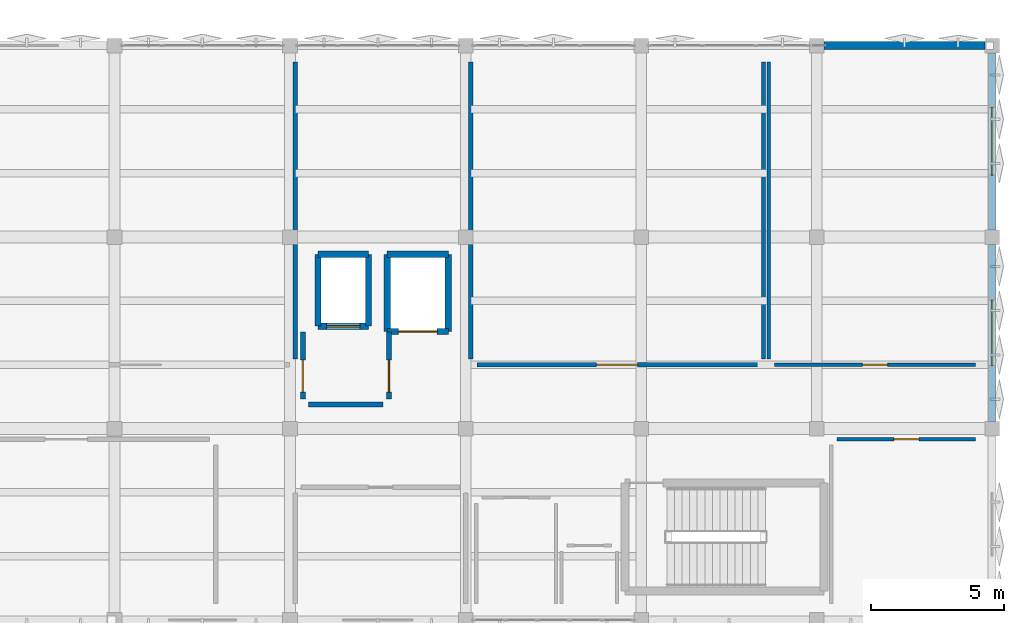
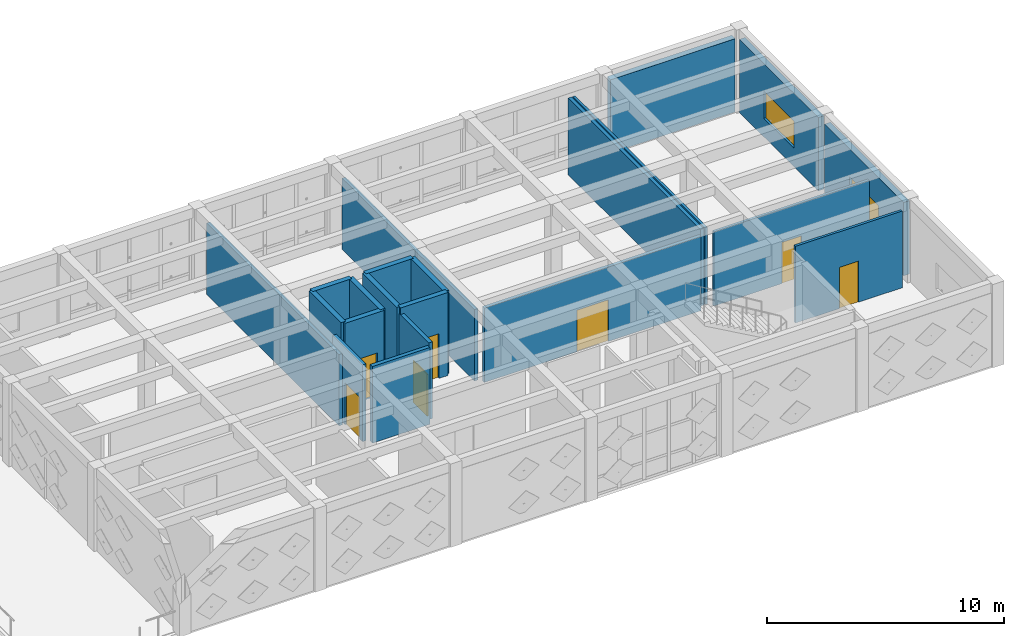
# One storey, part 32 of 39: 21 walls, 7 doors, 2 windows, 9 openings.
"""IFC4 building model written with IfcOpenShell, lengths in metres."""

from ifc_helpers import new_model, si_unit, direction, frame, frame_2d, origin, place, context, subcontext, project, spatial, rectangle, extrude, material, layer, layer_set, type_object, element, fill, save


model = new_model("IFC4")

# Units and contexts
model_context = context("Model", 3, precision=1e-05, world=origin(), true_north=direction((0.0, 1.0)))
body_context = subcontext(model_context, "Body", "Model", "MODEL_VIEW")
ifc_project = project(units=[si_unit("LENGTHUNIT", "METRE"), si_unit("AREAUNIT", "SQUARE_METRE"), si_unit("VOLUMEUNIT", "CUBIC_METRE"), si_unit("PLANEANGLEUNIT", "RADIAN"), si_unit("MASSUNIT", "GRAM", prefix="KILO")], contexts=[model_context])

# Site, building, storey
site_placement = place(None, origin())
site = spatial("IfcSite", under=ifc_project, at=site_placement, CompositionType="ELEMENT")
building_placement = place(site_placement, origin())
building = spatial("IfcBuilding", under=site, at=building_placement, Name="Kharisveld Research Institute", CompositionType="ELEMENT")
storey_placement = place(building_placement, frame((0.0, 0.0, 23.10009765625)))
storey = spatial("IfcBuildingStorey", under=building, at=storey_placement, Name="L05", CompositionType="ELEMENT", Elevation=23.10009765625)

# Walls
ifc_material_1 = material(Name="Concrete C40/50", Category="concrete")
ifc_layer_1 = layer(ifc_material_1, 0.239990234375)
ifc_layer_set_1 = layer_set([ifc_layer_1], Name="WL_CORE_240")
wall_type_1 = type_object("IfcWallType", Name="WL_CORE_240", PredefinedType="SHEAR", material=ifc_layer_set_1)
wall_1_placement = place(storey_placement, frame((135.449951171875, 50.25, 0.0), z_axis=(0.0, 0.0, 1.0), x_axis=(0.0, 1.0, 0.0)))
element("IfcWall", 1, at=wall_1_placement, inside=storey, type_object=wall_type_1, Name="WL:LFT:FFL-02:L05:W", PredefinedType="SHEAR", context=body_context, shape_type="SweptSolid", body=[
    extrude(rectangle(XDim=2.699951171875, YDim=0.239990234375, at=frame_2d((1.35009765625, 0.0))), origin(), (0.0, 0.0, 1.0), 4.27978515625),
])
wall_2_placement = place(storey_placement, frame((135.449951171875, 52.949951171875, 0.0), z_axis=(0.0, 0.0, 1.0), x_axis=(1.0, 0.0, 0.0)))
element("IfcWall", 2, at=wall_2_placement, inside=storey, type_object=wall_type_1, Name="WL:LFT:FFL-02:L05:N", PredefinedType="SHEAR", context=body_context, shape_type="SweptSolid", body=[
    extrude(rectangle(XDim=1.900146484375, YDim=0.239990234375, at=frame_2d((0.9501953125, 0.0))), origin(), (0.0, 0.0, 1.0), 4.27978515625),
])
wall_3_placement = place(storey_placement, frame((137.35009765625, 52.949951171875, 0.0), z_axis=(0.0, 0.0, 1.0), x_axis=(0.0, -1.0, 0.0)))
element("IfcWall", 3, at=wall_3_placement, inside=storey, type_object=wall_type_1, Name="WL:LFT:FFL-02:L05:E", PredefinedType="SHEAR", context=body_context, shape_type="SweptSolid", body=[
    extrude(rectangle(XDim=2.699951171875, YDim=0.239990234375, at=frame_2d((1.35009765625, 0.0))), origin(), (0.0, 0.0, 1.0), 4.27978515625),
])

# Wall, opening, door
wall_4_placement = place(storey_placement, frame((137.35009765625, 50.25, 0.0), z_axis=(0.0, 0.0, 1.0), x_axis=(-1.0, 0.0, 0.0)))
wall_4 = element("IfcWall", 4, at=wall_4_placement, inside=storey, type_object=wall_type_1, Name="WL:LFT:FFL-02:L05:S", PredefinedType="SHEAR", context=body_context, shape_type="SweptSolid", body=[
    extrude(rectangle(XDim=1.900146484375, YDim=0.239990234375, at=frame_2d((0.9501953125, 0.0))), origin(), (0.0, 0.0, 1.0), 4.27978515625),
])
opening_1_placement = place(wall_4_placement, frame((0.324951171875, 0.0, 0.0)))
opening_1 = element("IfcOpeningElement", 5, at=opening_1_placement, cuts=wall_4, Name="Opening LD-02", PredefinedType="OPENING", context=body_context, shape_type="SweptSolid", body=[
    extrude(rectangle(XDim=1.25, YDim=2.199951171875, at=frame_2d((0.625, 1.10009765625))), frame((0.0, 0.1201171875, 0.0), z_axis=(0.0, -1.0, 0.0), x_axis=(1.0, 0.0, 0.0)), (0.0, 0.0, 1.0), 0.239990234375),
])
ifc_material_2 = material(Name="Flush Painted Hardwood and Anodised Aluminium", Category="wood")
door_type_1 = type_object("IfcDoorType", Name="DR_LFT_125", OperationType="SLIDING_TO_RIGHT", PredefinedType="DOOR", material=ifc_material_2)
door_1_placement = place(opening_1_placement, origin())
door_1 = element("IfcDoor", 6, at=door_1_placement, inside=storey, type_object=door_type_1, Name="FFL-02 Lift Landing Door L05", OperationType="SLIDING_TO_RIGHT", OverallHeight=2.199951171875, OverallWidth=1.25, PredefinedType="DOOR", context=body_context, shape_type="SweptSolid", body=[
    extrude(rectangle(XDim=1.25, YDim=2.199951171875, at=frame_2d((0.625, 1.10009765625))), frame((0.0, 0.02490234375, 0.0), z_axis=(0.0, -1.0, 0.0), x_axis=(1.0, 0.0, 0.0)), (0.0, 0.0, 1.0), 0.050048828125),
])
fill(opening_1, door_1)

# Walls
wall_5_placement = place(storey_placement, frame((138.050048828125, 50.050048828125, 0.0), z_axis=(0.0, 0.0, 1.0), x_axis=(0.0, 1.0, 0.0)))
element("IfcWall", 7, at=wall_5_placement, inside=storey, type_object=wall_type_1, Name="WL:LFT:GL-01:L05:W", PredefinedType="SHEAR", context=body_context, shape_type="SweptSolid", body=[
    extrude(rectangle(XDim=2.89990234375, YDim=0.239990234375, at=frame_2d((1.449951171875, 0.0))), origin(), (0.0, 0.0, 1.0), 4.27978515625),
])
wall_6_placement = place(storey_placement, frame((138.050048828125, 52.949951171875, 0.0), z_axis=(0.0, 0.0, 1.0), x_axis=(1.0, 0.0, 0.0)))
element("IfcWall", 8, at=wall_6_placement, inside=storey, type_object=wall_type_1, Name="WL:LFT:GL-01:L05:N", PredefinedType="SHEAR", context=body_context, shape_type="SweptSolid", body=[
    extrude(rectangle(XDim=2.300048828125, YDim=0.239990234375, at=frame_2d((1.14990234375, 0.0))), origin(), (0.0, 0.0, 1.0), 4.27978515625),
])
wall_7_placement = place(storey_placement, frame((140.35009765625, 52.949951171875, 0.0), z_axis=(0.0, 0.0, 1.0), x_axis=(0.0, -1.0, 0.0)))
element("IfcWall", 9, at=wall_7_placement, inside=storey, type_object=wall_type_1, Name="WL:LFT:GL-01:L05:E", PredefinedType="SHEAR", context=body_context, shape_type="SweptSolid", body=[
    extrude(rectangle(XDim=2.89990234375, YDim=0.239990234375, at=frame_2d((1.449951171875, 0.0))), origin(), (0.0, 0.0, 1.0), 4.27978515625),
])

# Wall, opening, door
wall_8_placement = place(storey_placement, frame((140.35009765625, 50.050048828125, 0.0), z_axis=(0.0, 0.0, 1.0), x_axis=(-1.0, 0.0, 0.0)))
wall_8 = element("IfcWall", 10, at=wall_8_placement, inside=storey, type_object=wall_type_1, Name="WL:LFT:GL-01:L05:S", PredefinedType="SHEAR", context=body_context, shape_type="SweptSolid", body=[
    extrude(rectangle(XDim=2.300048828125, YDim=0.239990234375, at=frame_2d((1.14990234375, 0.0))), origin(), (0.0, 0.0, 1.0), 4.27978515625),
])
opening_2_placement = place(wall_8_placement, frame((0.425048828125, 0.0, 0.0)))
opening_2 = element("IfcOpeningElement", 11, at=opening_2_placement, cuts=wall_8, Name="Opening LD-03", PredefinedType="OPENING", context=body_context, shape_type="SweptSolid", body=[
    extrude(rectangle(XDim=1.449951171875, YDim=2.300048828125, at=frame_2d((0.72509765625, 1.14990234375))), frame((0.0, 0.1201171875, 0.0), z_axis=(0.0, -1.0, 0.0), x_axis=(1.0, 0.0, 0.0)), (0.0, 0.0, 1.0), 0.239990234375),
])
ifc_material_3 = material(Name="Flush Painted Hardwood and Anodised Aluminium", Category="wood")
door_type_2 = type_object("IfcDoorType", Name="DR_LFT_145", OperationType="DOUBLE_DOOR_SLIDING", PredefinedType="DOOR", material=ifc_material_3)
door_2_placement = place(opening_2_placement, origin())
door_2 = element("IfcDoor", 12, at=door_2_placement, inside=storey, type_object=door_type_2, Name="GL-01 Lift Landing Door L05", OperationType="DOUBLE_DOOR_SLIDING", OverallHeight=2.300048828125, OverallWidth=1.449951171875, PredefinedType="DOOR", context=body_context, shape_type="SweptSolid", body=[
    extrude(rectangle(XDim=1.449951171875, YDim=2.300048828125, at=frame_2d((0.72509765625, 1.14990234375))), frame((0.0, 0.02490234375, 0.0), z_axis=(0.0, -1.0, 0.0), x_axis=(1.0, 0.0, 0.0)), (0.0, 0.0, 1.0), 0.050048828125),
])
fill(opening_2, door_2)

# Wall, opening, window
ifc_material_4 = material(Name="Precast Concrete C40/50 Thermal Wall", Category="concrete")
ifc_layer_2 = layer(ifc_material_4, 0.27490234375)
ifc_layer_set_2 = layer_set([ifc_layer_2], Name="WL_EXT_275")
wall_type_2 = type_object("IfcWallType", Name="WL_EXT_275", PredefinedType="STANDARD", material=ifc_layer_set_2)
wall_9_placement = place(storey_placement, frame((160.800048828125, 60.530029296875, 0.0), z_axis=(0.0, 0.0, 1.0), x_axis=(0.0, -1.0, 0.0)))
wall_9 = element("IfcWall", 13, at=wall_9_placement, inside=storey, type_object=wall_type_2, Name="WL:V2:L05:E3", PredefinedType="STANDARD", context=body_context, shape_type="SweptSolid", body=[
    extrude(rectangle(XDim=6.659912109375, YDim=0.27490234375, at=frame_2d((3.330078125, 0.0))), origin(), (0.0, 0.0, 1.0), 3.77490234375),
])
opening_3_placement = place(wall_9_placement, frame((2.06005859375, 0.0, 0.949951171875)))
opening_3 = element("IfcOpeningElement", 14, at=opening_3_placement, cuts=wall_9, Name="Opening WN-36", PredefinedType="OPENING", context=body_context, shape_type="SweptSolid", body=[
    extrude(rectangle(XDim=2.5400390625, YDim=1.39990234375, at=frame_2d((1.27001953125, 0.699951171875))), frame((0.0, 0.137451171875, 0.0), z_axis=(0.0, -1.0, 0.0), x_axis=(1.0, 0.0, 0.0)), (0.0, 0.0, 1.0), 0.27490234375),
])
ifc_material_5 = material(Name="Low-E Double Glazing", Category="glass")
window_type_1 = type_object("IfcWindowType", Name="WN_36", PartitioningType="DOUBLE_PANEL_VERTICAL", PredefinedType="WINDOW", material=ifc_material_5)
window_1_placement = place(opening_3_placement, origin())
window_1 = element("IfcWindow", 15, at=window_1_placement, inside=storey, type_object=window_type_1, Name="WN:V2:L05:E3", OverallHeight=1.39990234375, OverallWidth=2.5400390625, PartitioningType="SINGLE_PANEL", PredefinedType="WINDOW", context=body_context, shape_type="SweptSolid", body=[
    extrude(rectangle(XDim=2.5400390625, YDim=1.39990234375, at=frame_2d((1.27001953125, 0.699951171875))), frame((0.0, 0.030029296875, 0.0), z_axis=(0.0, -1.0, 0.0), x_axis=(1.0, 0.0, 0.0)), (0.0, 0.0, 1.0), 0.06005859375),
])
fill(opening_3, window_1)

# Wall
ifc_material_6 = material(Name="Precast Concrete C40/50 Thermal Wall", Category="concrete")
ifc_layer_3 = layer(ifc_material_6, 0.2900390625)
ifc_layer_set_3 = layer_set([ifc_layer_3], Name="WL_EXT_290")
wall_type_3 = type_object("IfcWallType", Name="WL_EXT_290", PredefinedType="STANDARD", material=ifc_layer_set_3)
wall_10_placement = place(storey_placement, frame((154.469970703125, 60.800048828125, 0.0), z_axis=(0.0, 0.0, 1.0), x_axis=(1.0, 0.0, 0.0)))
element("IfcWall", 16, at=wall_10_placement, inside=storey, type_object=wall_type_3, Name="WL:V2:L05:N6", PredefinedType="STANDARD", context=body_context, shape_type="SweptSolid", body=[
    extrude(rectangle(XDim=6.06005859375, YDim=0.2900390625, at=frame_2d((3.030029296875, 0.0))), origin(), (0.0, 0.0, 1.0), 3.77490234375),
])

# Wall, opening, window
wall_11_placement = place(storey_placement, frame((160.800048828125, 53.330078125, 0.0), z_axis=(0.0, 0.0, 1.0), x_axis=(0.0, -1.0, 0.0)))
wall_11 = element("IfcWall", 17, at=wall_11_placement, inside=storey, type_object=wall_type_3, Name="WL:V2:L05:E2", PredefinedType="STANDARD", context=body_context, shape_type="SweptSolid", body=[
    extrude(rectangle(XDim=6.66015625, YDim=0.2900390625, at=frame_2d((3.330078125, 0.0))), origin(), (0.0, 0.0, 1.0), 3.77490234375),
])
opening_4_placement = place(wall_11_placement, frame((2.10498046875, 0.0, 0.949951171875)))
opening_4 = element("IfcOpeningElement", 18, at=opening_4_placement, cuts=wall_11, Name="Opening WN-35", PredefinedType="OPENING", context=body_context, shape_type="SweptSolid", body=[
    extrude(rectangle(XDim=2.449951171875, YDim=1.3798828125, at=frame_2d((1.22509765625, 0.68994140625))), frame((0.0, 0.14501953125, 0.0), z_axis=(0.0, -1.0, 0.0), x_axis=(1.0, 0.0, 0.0)), (0.0, 0.0, 1.0), 0.2900390625),
])
ifc_material_7 = material(Name="Low-E Double Glazing", Category="glass")
window_type_2 = type_object("IfcWindowType", Name="WN_35", PartitioningType="DOUBLE_PANEL_VERTICAL", PredefinedType="WINDOW", material=ifc_material_7)
window_2_placement = place(opening_4_placement, origin())
window_2 = element("IfcWindow", 19, at=window_2_placement, inside=storey, type_object=window_type_2, Name="WN:V2:L05:E2", OverallHeight=1.3798828125, OverallWidth=2.449951171875, PartitioningType="SINGLE_PANEL", PredefinedType="WINDOW", context=body_context, shape_type="SweptSolid", body=[
    extrude(rectangle(XDim=2.449951171875, YDim=1.3798828125, at=frame_2d((1.22509765625, 0.68994140625))), frame((0.0, 0.030029296875, 0.0), z_axis=(0.0, -1.0, 0.0), x_axis=(1.0, 0.0, 0.0)), (0.0, 0.0, 1.0), 0.06005859375),
])
fill(opening_4, window_2)

# Wall
ifc_material_8 = material(Name="Acoustic Drywall Partition", Category="mineral")
ifc_layer_4 = layer(ifc_material_8, 0.1650390625)
ifc_layer_set_4 = layer_set([ifc_layer_4], Name="WL_LAB_165")
wall_type_4 = type_object("IfcWallType", Name="WL_LAB_165", PredefinedType="PARTITIONING", material=ifc_layer_set_4)
wall_12_placement = place(storey_placement, frame((134.60009765625, 49.02001953125, 0.0), z_axis=(0.0, 0.0, 1.0), x_axis=(0.0, 1.0, 0.0)))
element("IfcWall", 20, at=wall_12_placement, inside=storey, type_object=wall_type_4, Name="WL:RM:V2:L05:WLA:E", PredefinedType="PARTITIONING", context=body_context, shape_type="SweptSolid", body=[
    extrude(rectangle(XDim=11.159912109375, YDim=0.1650390625, at=frame_2d((5.580078125, 0.0))), origin(), (0.0, 0.0, 1.0), 3.6748046875),
])

# Wall, opening, door
wall_13_placement = place(storey_placement, frame((141.419921875, 48.800048828125, 0.0), z_axis=(0.0, 0.0, 1.0), x_axis=(1.0, 0.0, 0.0)))
wall_13 = element("IfcWall", 21, at=wall_13_placement, inside=storey, type_object=wall_type_4, Name="WL:RM:V2:L05:WLB:S", PredefinedType="PARTITIONING", context=body_context, shape_type="SweptSolid", body=[
    extrude(rectangle(XDim=10.56005859375, YDim=0.1650390625, at=frame_2d((5.280029296875, 0.0))), origin(), (0.0, 0.0, 1.0), 3.824951171875),
])
opening_5_placement = place(wall_13_placement, frame((4.510009765625, 0.0, 0.0)))
opening_5 = element("IfcOpeningElement", 22, at=opening_5_placement, cuts=wall_13, Name="Opening DI-238", PredefinedType="OPENING", context=body_context, shape_type="SweptSolid", body=[
    extrude(rectangle(XDim=1.5400390625, YDim=2.139892578125, at=frame_2d((0.77001953125, 1.06982421875))), frame((0.0, 0.08251953125, 0.0), z_axis=(0.0, -1.0, 0.0), x_axis=(1.0, 0.0, 0.0)), (0.0, 0.0, 1.0), 0.1650390625),
])
ifc_material_9 = material(Name="Flush Painted Hardwood and Anodised Aluminium", Category="wood")
door_type_3 = type_object("IfcDoorType", Name="DR_VAR_22", OperationType="NOTDEFINED", PredefinedType="DOOR", material=ifc_material_9)
door_3_placement = place(opening_5_placement, origin())
door_3 = element("IfcDoor", 23, at=door_3_placement, inside=storey, type_object=door_type_3, Name="DR:RM:V2:L05:WLB:S", OperationType="SINGLE_SWING_RIGHT", OverallHeight=2.139892578125, OverallWidth=1.5400390625, PredefinedType="DOOR", context=body_context, shape_type="SweptSolid", body=[
    extrude(rectangle(XDim=1.5400390625, YDim=2.139892578125, at=frame_2d((0.77001953125, 1.06982421875))), frame((0.0, 0.02490234375, 0.0), z_axis=(0.0, -1.0, 0.0), x_axis=(1.0, 0.0, 0.0)), (0.0, 0.0, 1.0), 0.050048828125),
])
fill(opening_5, door_3)

# Walls
wall_14_placement = place(storey_placement, frame((152.199951171875, 49.02001953125, 0.0), z_axis=(0.0, 0.0, 1.0), x_axis=(0.0, 1.0, 0.0)))
element("IfcWall", 24, at=wall_14_placement, inside=storey, type_object=wall_type_4, Name="WL:RM:V2:L05:WLB:E", PredefinedType="PARTITIONING", context=body_context, shape_type="SweptSolid", body=[
    extrude(rectangle(XDim=11.159912109375, YDim=0.1650390625, at=frame_2d((5.580078125, 0.0))), origin(), (0.0, 0.0, 1.0), 3.949951171875),
])
wall_15_placement = place(storey_placement, frame((141.199951171875, 60.179931640625, 0.0), z_axis=(0.0, 0.0, 1.0), x_axis=(0.0, -1.0, 0.0)))
element("IfcWall", 25, at=wall_15_placement, inside=storey, type_object=wall_type_4, Name="WL:RM:V2:L05:WLB:W", PredefinedType="PARTITIONING", context=body_context, shape_type="SweptSolid", body=[
    extrude(rectangle(XDim=11.159912109375, YDim=0.1650390625, at=frame_2d((5.580078125, 0.0))), origin(), (0.0, 0.0, 1.0), 3.6748046875),
])
ifc_material_10 = material(Name="Masonry Blockwork", Category="masonry")
ifc_layer_5 = layer(ifc_material_10, 0.18505859375)
ifc_layer_set_5 = layer_set([ifc_layer_5], Name="WL_LOB_185")
wall_type_5 = type_object("IfcWallType", Name="WL_LOB_185", PredefinedType="SOLIDWALL", material=ifc_layer_set_5)
wall_16_placement = place(storey_placement, frame((135.10009765625, 47.300048828125, 0.0), z_axis=(0.0, 0.0, 1.0), x_axis=(1.0, 0.0, 0.0)))
element("IfcWall", 26, at=wall_16_placement, inside=storey, type_object=wall_type_5, Name="WL:RM:V2:L05:FFL:S", PredefinedType="SOLIDWALL", context=body_context, shape_type="SweptSolid", body=[
    extrude(rectangle(XDim=2.7998046875, YDim=0.18505859375, at=frame_2d((1.39990234375, 0.0))), origin(), (0.0, 0.0, 1.0), 3.949951171875),
])

# Wall, opening, door
wall_17_placement = place(storey_placement, frame((138.1201171875, 47.52001953125, 0.0), z_axis=(0.0, 0.0, 1.0), x_axis=(0.0, 1.0, 0.0)))
wall_17 = element("IfcWall", 27, at=wall_17_placement, inside=storey, type_object=wall_type_5, Name="WL:RM:V2:L05:FFL:E", PredefinedType="SOLIDWALL", context=body_context, shape_type="SweptSolid", body=[
    extrude(rectangle(XDim=2.510009765625, YDim=0.18505859375, at=frame_2d((1.2548828125, 0.0))), origin(), (0.0, 0.0, 1.0), 3.949951171875),
])
opening_6_placement = place(wall_17_placement, frame((0.25, 0.0, 0.0)))
opening_6 = element("IfcOpeningElement", 28, at=opening_6_placement, cuts=wall_17, Name="Opening DI-233", PredefinedType="OPENING", context=body_context, shape_type="SweptSolid", body=[
    extrude(rectangle(XDim=1.199951171875, YDim=2.14990234375, at=frame_2d((0.60009765625, 1.074951171875))), frame((0.0, 0.092529296875, 0.0), z_axis=(0.0, -1.0, 0.0), x_axis=(1.0, 0.0, 0.0)), (0.0, 0.0, 1.0), 0.18505859375),
])
ifc_material_11 = material(Name="Flush Painted Hardwood and Anodised Aluminium", Category="wood")
door_type_4 = type_object("IfcDoorType", Name="DR_FD120_120", OperationType="NOTDEFINED", PredefinedType="DOOR", material=ifc_material_11)
door_4_placement = place(opening_6_placement, origin())
door_4 = element("IfcDoor", 29, at=door_4_placement, inside=storey, type_object=door_type_4, Name="DR:RM:V2:L05:FFL:E", OperationType="SINGLE_SWING_LEFT", OverallHeight=2.14990234375, OverallWidth=1.199951171875, PredefinedType="DOOR", context=body_context, shape_type="SweptSolid", body=[
    extrude(rectangle(XDim=1.199951171875, YDim=2.14990234375, at=frame_2d((0.60009765625, 1.074951171875))), frame((0.0, 0.02490234375, 0.0), z_axis=(0.0, -1.0, 0.0), x_axis=(1.0, 0.0, 0.0)), (0.0, 0.0, 1.0), 0.050048828125),
])
fill(opening_6, door_4)

wall_18_placement = place(storey_placement, frame((134.8798828125, 50.030029296875, 0.0), z_axis=(0.0, 0.0, 1.0), x_axis=(0.0, -1.0, 0.0)))
wall_18 = element("IfcWall", 30, at=wall_18_placement, inside=storey, type_object=wall_type_5, Name="WL:RM:V2:L05:FFL:W", PredefinedType="SOLIDWALL", context=body_context, shape_type="SweptSolid", body=[
    extrude(rectangle(XDim=2.510009765625, YDim=0.18505859375, at=frame_2d((1.2548828125, 0.0))), origin(), (0.0, 0.0, 1.0), 3.949951171875),
])
opening_7_placement = place(wall_18_placement, frame((1.06005859375, 0.0, 0.0)))
opening_7 = element("IfcOpeningElement", 31, at=opening_7_placement, cuts=wall_18, Name="Opening DI-234", PredefinedType="OPENING", context=body_context, shape_type="SweptSolid", body=[
    extrude(rectangle(XDim=1.199951171875, YDim=2.14990234375, at=frame_2d((0.60009765625, 1.074951171875))), frame((0.0, 0.092529296875, 0.0), z_axis=(0.0, -1.0, 0.0), x_axis=(1.0, 0.0, 0.0)), (0.0, 0.0, 1.0), 0.18505859375),
])
door_5_placement = place(opening_7_placement, origin())
door_5 = element("IfcDoor", 32, at=door_5_placement, inside=storey, type_object=door_type_4, Name="DR:RM:V2:L05:FFL:W", OperationType="SINGLE_SWING_RIGHT", OverallHeight=2.14990234375, OverallWidth=1.199951171875, PredefinedType="DOOR", context=body_context, shape_type="SweptSolid", body=[
    extrude(rectangle(XDim=1.199951171875, YDim=2.14990234375, at=frame_2d((0.60009765625, 1.074951171875))), frame((0.0, 0.02490234375, 0.0), z_axis=(0.0, -1.0, 0.0), x_axis=(1.0, 0.0, 0.0)), (0.0, 0.0, 1.0), 0.050048828125),
])
fill(opening_7, door_5)

ifc_material_12 = material(Name="Insulated Stud Partition", Category="mineral")
ifc_layer_6 = layer(ifc_material_12, 0.125)
ifc_layer_set_6 = layer_set([ifc_layer_6], Name="WL_OFF_125")
wall_type_6 = type_object("IfcWallType", Name="WL_OFF_125", PredefinedType="PARTITIONING", material=ifc_layer_set_6)
wall_19_placement = place(storey_placement, frame((152.6201171875, 48.800048828125, 0.0), z_axis=(0.0, 0.0, 1.0), x_axis=(1.0, 0.0, 0.0)))
wall_19 = element("IfcWall", 33, at=wall_19_placement, inside=storey, type_object=wall_type_6, Name="WL:RM:V2:L05:WLD:S", PredefinedType="PARTITIONING", context=body_context, shape_type="SweptSolid", body=[
    extrude(rectangle(XDim=7.559814453125, YDim=0.125, at=frame_2d((3.77978515625, 0.0))), origin(), (0.0, 0.0, 1.0), 3.824951171875),
])
opening_8_placement = place(wall_19_placement, frame((3.31005859375, 0.0, 0.0)))
opening_8 = element("IfcOpeningElement", 34, at=opening_8_placement, cuts=wall_19, Name="Opening DI-239", PredefinedType="OPENING", context=body_context, shape_type="SweptSolid", body=[
    extrude(rectangle(XDim=0.93994140625, YDim=2.1201171875, at=frame_2d((0.469970703125, 1.06005859375))), frame((0.0, 0.0625, 0.0), z_axis=(0.0, -1.0, 0.0), x_axis=(1.0, 0.0, 0.0)), (0.0, 0.0, 1.0), 0.125),
])
ifc_material_13 = material(Name="Flush Painted Hardwood and Anodised Aluminium", Category="wood")
door_type_5 = type_object("IfcDoorType", Name="DR_OFF_094", OperationType="NOTDEFINED", PredefinedType="DOOR", material=ifc_material_13)
door_6_placement = place(opening_8_placement, origin())
door_6 = element("IfcDoor", 35, at=door_6_placement, inside=storey, type_object=door_type_5, Name="DR:RM:V2:L05:WLD:S", OperationType="SINGLE_SWING_LEFT", OverallHeight=2.1201171875, OverallWidth=0.93994140625, PredefinedType="DOOR", context=body_context, shape_type="SweptSolid", body=[
    extrude(rectangle(XDim=0.93994140625, YDim=2.1201171875, at=frame_2d((0.469970703125, 1.06005859375))), frame((0.0, 0.02490234375, 0.0), z_axis=(0.0, -1.0, 0.0), x_axis=(1.0, 0.0, 0.0)), (0.0, 0.0, 1.0), 0.050048828125),
])
fill(opening_8, door_6)

# Wall
wall_20_placement = place(storey_placement, frame((152.39990234375, 60.179931640625, 0.0), z_axis=(0.0, 0.0, 1.0), x_axis=(0.0, -1.0, 0.0)))
element("IfcWall", 36, at=wall_20_placement, inside=storey, type_object=wall_type_6, Name="WL:RM:V2:L05:WLD:W", PredefinedType="PARTITIONING", context=body_context, shape_type="SweptSolid", body=[
    extrude(rectangle(XDim=11.159912109375, YDim=0.125, at=frame_2d((5.580078125, 0.0))), origin(), (0.0, 0.0, 1.0), 3.949951171875),
])

# Wall, opening, door
wall_21_placement = place(storey_placement, frame((160.179931640625, 46.0, 0.0), z_axis=(0.0, 0.0, 1.0), x_axis=(-1.0, 0.0, 0.0)))
wall_21 = element("IfcWall", 37, at=wall_21_placement, inside=storey, type_object=wall_type_6, Name="WL:RM:V2:L05:SEM:N", PredefinedType="PARTITIONING", context=body_context, shape_type="SweptSolid", body=[
    extrude(rectangle(XDim=5.2099609375, YDim=0.125, at=frame_2d((2.60498046875, 0.0))), origin(), (0.0, 0.0, 1.0), 3.949951171875),
])
opening_9_placement = place(wall_21_placement, frame((2.135009765625, 0.0, 0.0)))
opening_9 = element("IfcOpeningElement", 38, at=opening_9_placement, cuts=wall_21, Name="Opening DI-242", PredefinedType="OPENING", context=body_context, shape_type="SweptSolid", body=[
    extrude(rectangle(XDim=0.93994140625, YDim=2.1201171875, at=frame_2d((0.469970703125, 1.06005859375))), frame((0.0, 0.0625, 0.0), z_axis=(0.0, -1.0, 0.0), x_axis=(1.0, 0.0, 0.0)), (0.0, 0.0, 1.0), 0.125),
])
door_7_placement = place(opening_9_placement, origin())
door_7 = element("IfcDoor", 39, at=door_7_placement, inside=storey, type_object=door_type_5, Name="DR:RM:V2:L05:SEM:N", OperationType="SINGLE_SWING_RIGHT", OverallHeight=2.1201171875, OverallWidth=0.93994140625, PredefinedType="DOOR", context=body_context, shape_type="SweptSolid", body=[
    extrude(rectangle(XDim=0.93994140625, YDim=2.1201171875, at=frame_2d((0.469970703125, 1.06005859375))), frame((0.0, 0.02490234375, 0.0), z_axis=(0.0, -1.0, 0.0), x_axis=(1.0, 0.0, 0.0)), (0.0, 0.0, 1.0), 0.050048828125),
])
fill(opening_9, door_7)

save(model, "model.ifc")
